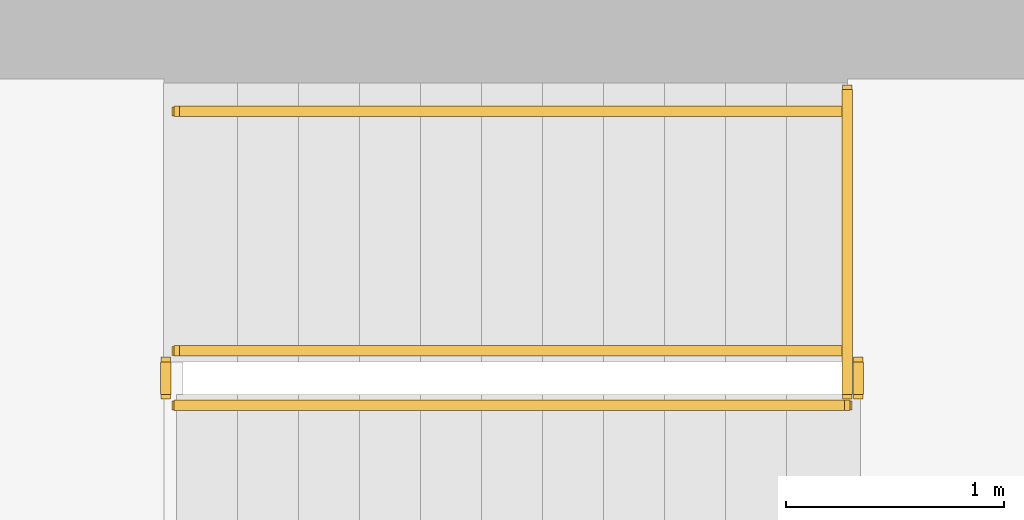
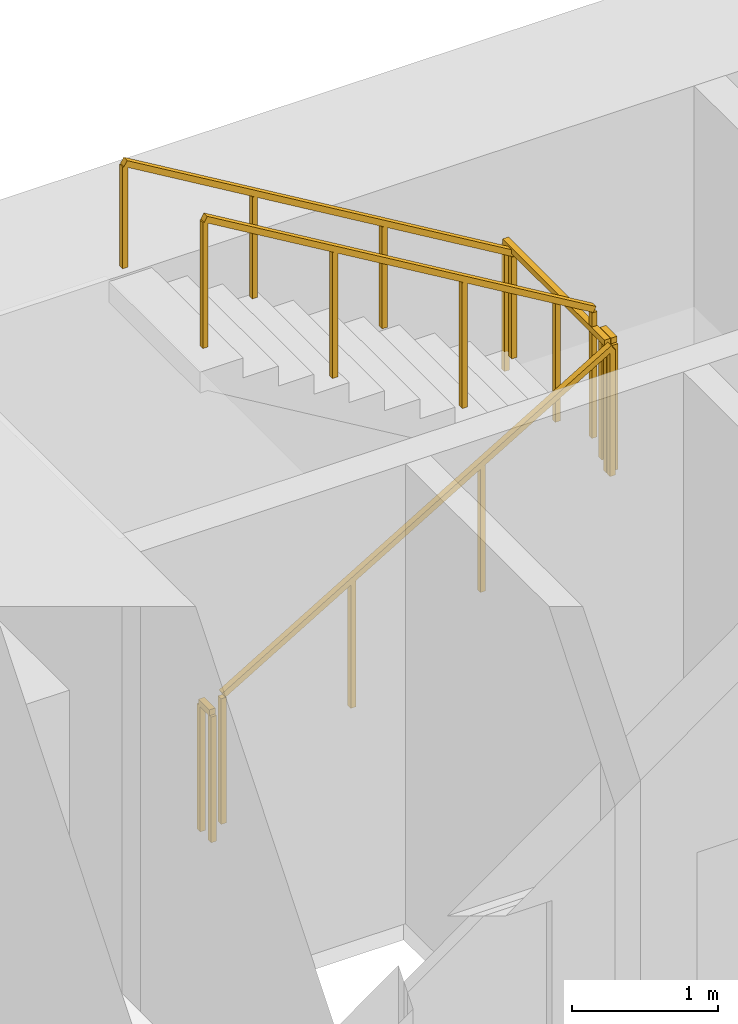
# One storey, part 14 of 15: 6 railings.
"""IFC4 building model written with IfcOpenShell, lengths in metres."""

import ifcopenshell
import ifcopenshell.guid

model = None  # the IFC model being written
_history = None  # IfcOwnerHistory: only IFC2X3 demands one
_inside = {}  # id of a spatial element -> (the spatial element, [elements in it])
_under = {}  # id of a project, library or spatial element -> (it, [spatial elements below it])
_declared = {}  # id of a project -> (the project, [libraries it declares])
_typed = {}  # id of a type object -> (the type object, [elements of that type])
_made_of = {}  # id of a material, layer set ... -> (it, [elements and type objects made of it])


def new_model(schema):
    """Start an empty IFC model of exactly this schema.

    Asked for "IFC4X3", IfcOpenShell would pick the latest addendum, in which some entities
    have other attributes; the version numbers below select the first issue.
    IFC2X3 requires an IfcOwnerHistory on every rooted entity: one is made here for all.
    """
    global model, _history
    if schema == "IFC4X3":
        model = ifcopenshell.file(schema_version=(4, 3, 0, 0))
    else:
        model = ifcopenshell.file(schema=schema)
    _inside.clear()
    _under.clear()
    _declared.clear()
    _typed.clear()
    _made_of.clear()
    _history = None
    if model.schema == "IFC2X3":
        org = make("IfcOrganization", Name="unknown")
        user = make(
            "IfcPersonAndOrganization",
            ThePerson=make("IfcPerson", FamilyName="unknown"),
            TheOrganization=org,
        )
        app = make(
            "IfcApplication",
            ApplicationDeveloper=org,
            Version="unknown",
            ApplicationFullName="unknown",
            ApplicationIdentifier="unknown",
        )
        _history = make(
            "IfcOwnerHistory",
            OwningUser=user,
            OwningApplication=app,
            ChangeAction="ADDED",
            CreationDate=0,
        )
    return model


def make(cls, **values):
    """One entity of the class cls with the attributes given. An attribute that is None is left unset."""
    return model.create_entity(
        cls, **{name: value for name, value in values.items() if value is not None}
    )


def rooted(cls, **values):
    """An entity with a GlobalId (a new one), such as an element, a storey or a relation."""
    return make(cls, GlobalId=ifcopenshell.guid.new(), OwnerHistory=_history, **values)


def si_unit(unit_type, name, prefix=None):
    """IfcSIUnit, for example si_unit("LENGTHUNIT", "METRE", prefix="MILLI")."""
    return make("IfcSIUnit", UnitType=unit_type, Prefix=prefix, Name=name)


def assignment(units):
    """IfcUnitAssignment: the units of a project."""
    return None if units is None else make("IfcUnitAssignment", Units=units)


def point(xyz):
    """IfcCartesianPoint."""
    return None if xyz is None else make("IfcCartesianPoint", Coordinates=xyz)


def direction(xyz):
    """IfcDirection."""
    return None if xyz is None else make("IfcDirection", DirectionRatios=xyz)


def frame(location, z_axis=None, x_axis=None):
    """IfcAxis2Placement3D, a coordinate frame: its origin and axes. An axis left out is left unset."""
    return make(
        "IfcAxis2Placement3D",
        Location=point(location),
        Axis=direction(z_axis),
        RefDirection=direction(x_axis),
    )


def frame_2d(location, x_axis=None):
    """IfcAxis2Placement2D, a coordinate frame in the plane: its origin and x axis."""
    return make(
        "IfcAxis2Placement2D", Location=point(location), RefDirection=direction(x_axis)
    )


def origin():
    """The frame at (0, 0, 0) with its axes left unset."""
    return frame((0.0, 0.0, 0.0))


def origin_2d():
    """The frame at (0, 0) in the plane with its x axis left unset."""
    return frame_2d((0.0, 0.0))


def place(relative_to, where):
    """IfcLocalPlacement: puts the frame where relative to a parent placement (None: the world)."""
    return make(
        "IfcLocalPlacement", PlacementRelTo=relative_to, RelativePlacement=where
    )


def context(
    kind, dimensions, precision=None, world=None, true_north=None, identifier=None
):
    """IfcGeometricRepresentationContext, for example the 3D "Model" context."""
    return make(
        "IfcGeometricRepresentationContext",
        ContextIdentifier=identifier,
        ContextType=kind,
        CoordinateSpaceDimension=dimensions,
        Precision=precision,
        WorldCoordinateSystem=world,
        TrueNorth=true_north,
    )


def subcontext(parent, identifier, kind, view, scale=None):
    """IfcGeometricRepresentationSubContext, for example "Body" below "Model"."""
    return make(
        "IfcGeometricRepresentationSubContext",
        ContextIdentifier=identifier,
        ContextType=kind,
        ParentContext=parent,
        TargetScale=scale,
        TargetView=view,
    )


def project(units=None, contexts=None):
    """IfcProject with its units and contexts."""
    return rooted(
        "IfcProject",
        Name="project",
        RepresentationContexts=contexts,
        UnitsInContext=assignment(units),
    )


def spatial(cls, under=None, at=None, **own):
    """A site, building, storey or space (cls), placed at a placement, below another one or the project."""
    s = rooted(cls, ObjectPlacement=at, **own)
    if under is not None:
        _under.setdefault(under.id(), (under, []))[1].append(s)
    return s


def profile(cls, at=None, kind="AREA", **sizes):
    """A parametric profile (cls). Its sizes go by their IFC names, for example OverallWidth=200.0."""
    return make(cls, ProfileType=kind, Position=at, **sizes)


def rectangle(**sizes):
    """IfcRectangleProfileDef."""
    return profile("IfcRectangleProfileDef", **sizes)


def extrude(swept, where, along, depth):
    """IfcExtrudedAreaSolid: the profile swept, set in the frame where, extruded along a direction by depth."""
    return make(
        "IfcExtrudedAreaSolid",
        SweptArea=swept,
        Position=where,
        ExtrudedDirection=direction(along),
        Depth=depth,
    )


def shape(context_of_items, identifier, shape_type, items):
    """IfcShapeRepresentation: the items that make up one representation, for example the "Body"."""
    return make(
        "IfcShapeRepresentation",
        ContextOfItems=context_of_items,
        RepresentationIdentifier=identifier,
        RepresentationType=shape_type,
        Items=items,
    )


def material(Name=None, Category=None):
    """IfcMaterial."""
    return make("IfcMaterial", Name=Name, Category=Category)


def made_of(thing, what):
    """Note that an element or type object is made of a material, layer set ...; save() writes the relation."""
    if what is not None:
        _made_of.setdefault(what.id(), (what, []))[1].append(thing)
    return thing


def type_object(cls, material=None, **own):
    """A type object (cls), such as IfcWallType, which elements share."""
    return made_of(rooted(cls, **own), material)


def element(
    cls,
    number,
    at=None,
    inside=None,
    cuts=None,
    type_object=None,
    material=None,
    context=None,
    identifier="Body",
    shape_type=None,
    held_by="IfcProductDefinitionShape",
    body=None,
    shapes=None,
    **own,
):
    """One element of the class cls, such as IfcWall. Its Tag is "e" and its number.

    at: its placement. inside: the storey or other place that contains it. cuts: it is an
    opening in that element (IfcRelVoidsElement). A single representation is given by context,
    identifier, shape_type and body (its items); several are given by shapes. held_by: the class
    of the entity that holds the representations. save() writes the other relations.
    """
    e = rooted(cls, Tag="e%d" % number, ObjectPlacement=at, **own)
    if body is not None:
        shapes = [shape(context, identifier, shape_type, body)]
    if shapes is not None:
        e.Representation = make(held_by, Representations=shapes)
    if inside is not None:
        _inside.setdefault(inside.id(), (inside, []))[1].append(e)
    if cuts is not None:
        rooted(
            "IfcRelVoidsElement", RelatingBuildingElement=cuts, RelatedOpeningElement=e
        )
    if type_object is not None:
        _typed.setdefault(type_object.id(), (type_object, []))[1].append(e)
    return made_of(e, material)


def aggregate(whole, parts):
    """IfcRelAggregates: a whole, such as a stair, and the parts it consists of."""
    return rooted("IfcRelAggregates", RelatingObject=whole, RelatedObjects=parts)


def save(model, path):
    """Write the relations noted so far, then the file.

    IfcRelAggregates (storeys below a building ...), IfcRelContainedInSpatialStructure (elements
    in a storey), IfcRelDefinesByType, IfcRelAssociatesMaterial and IfcRelDeclares: one each for
    every whole, place, type object, material and project.
    """
    for whole, parts in _under.values():
        aggregate(whole, parts)
    for where, things in _inside.values():
        rooted(
            "IfcRelContainedInSpatialStructure",
            RelatedElements=things,
            RelatingStructure=where,
        )
    for kind, things in _typed.values():
        rooted("IfcRelDefinesByType", RelatedObjects=things, RelatingType=kind)
    for what, things in _made_of.values():
        rooted("IfcRelAssociatesMaterial", RelatedObjects=things, RelatingMaterial=what)
    for by, libraries in _declared.values():
        rooted("IfcRelDeclares", RelatingContext=by, RelatedDefinitions=libraries)
    model.write(path)


model = new_model("IFC4")

# Units and contexts
model_context = context("Model", 3, precision=1e-05, world=origin(), true_north=direction((0.0, 1.0)))
body_context = subcontext(model_context, "Body", "Model", "MODEL_VIEW")
ifc_project = project(units=[si_unit("LENGTHUNIT", "METRE"), si_unit("AREAUNIT", "SQUARE_METRE"), si_unit("VOLUMEUNIT", "CUBIC_METRE"), si_unit("PLANEANGLEUNIT", "RADIAN"), si_unit("MASSUNIT", "GRAM", prefix="KILO")], contexts=[model_context])

# Site, building, storey
site_placement = place(None, origin())
site = spatial("IfcSite", under=ifc_project, at=site_placement, CompositionType="ELEMENT")
building_placement = place(site_placement, origin())
building = spatial("IfcBuilding", under=site, at=building_placement, Name="Sennacour Bend Tower", CompositionType="ELEMENT")
storey_placement = place(building_placement, frame((0.0, 0.0, 33.0)))
storey = spatial("IfcBuildingStorey", under=building, at=storey_placement, Name="L06", CompositionType="ELEMENT", Elevation=33.0)

# Railings
ifc_material = material(Name="Stainless steel", Category="steel")
railing_type_1 = type_object("IfcRailingType", Name="RL-GUARD-1100", PredefinedType="GUARDRAIL", material=ifc_material)
railing_1_placement = place(storey_placement, frame((56.699951171875, 19.85009765625, 0.166748046875)))
element("IfcRailing", 1, at=railing_1_placement, inside=storey, type_object=railing_type_1, Name="L06 SA2 stair guard 1", PredefinedType="GUARDRAIL", context=body_context, shape_type="SweptSolid", body=[
    extrude(rectangle(XDim=0.048095703125, YDim=0.048095703125, at=origin_2d()), frame((0.0, 0.0, 1.076171875), z_axis=(0.859308565015, 0.0, 0.511457515432), x_axis=(0.0, 1.0, 0.0)), (0.0, 0.0, 1.0), 3.58447265625),
    extrude(rectangle(XDim=0.0419921875, YDim=0.0419921875, at=origin_2d()), origin(), (0.0, 0.0, 1.0), 1.052001953125),
    extrude(rectangle(XDim=0.0419921875, YDim=0.0419921875, at=origin_2d()), frame((1.026611328125, 0.0, 0.611083984375)), (0.0, 0.0, 1.0), 1.052001953125),
    extrude(rectangle(XDim=0.0419921875, YDim=0.0419921875, at=origin_2d()), frame((2.053466796875, 0.0, 1.22216796875)), (0.0, 0.0, 1.0), 1.052001953125),
    extrude(rectangle(XDim=0.0419921875, YDim=0.0419921875, at=origin_2d()), frame((3.080078125, 0.0, 1.833251953125)), (0.0, 0.0, 1.0), 1.052001953125),
])
railing_2_placement = place(storey_placement, frame((59.830078125, 19.89990234375, 2.0)))
element("IfcRailing", 2, at=railing_2_placement, inside=storey, type_object=railing_type_1, Name="L06 SA2 stair guard 2", PredefinedType="GUARDRAIL", context=body_context, shape_type="SweptSolid", body=[
    extrude(rectangle(XDim=0.048095703125, YDim=0.048095703125, at=origin_2d()), frame((0.0, 0.0, 1.076171875), z_axis=(0.0, 1.0, 0.0), x_axis=(-1.0, 0.0, 0.0)), (0.0, 0.0, 1.0), 0.150146484375),
    extrude(rectangle(XDim=0.0419921875, YDim=0.0419921875, at=origin_2d()), origin(), (0.0, 0.0, 1.0), 1.052001953125),
    extrude(rectangle(XDim=0.0419921875, YDim=0.0419921875, at=origin_2d()), frame((0.0, 0.150146484375, 0.0)), (0.0, 0.0, 1.0), 1.052001953125),
])
railing_3_placement = place(storey_placement, frame((59.780029296875, 20.10009765625, 2.166748046875)))
element("IfcRailing", 3, at=railing_3_placement, inside=storey, type_object=railing_type_1, Name="L06 SA2 stair guard 4", PredefinedType="GUARDRAIL", context=body_context, shape_type="SweptSolid", body=[
    extrude(rectangle(XDim=0.048095703125, YDim=0.048095703125, at=origin_2d()), frame((0.0, 0.0, 1.076171875), z_axis=(-0.859308565015, 0.0, 0.511457515432), x_axis=(0.0, -1.0, 0.0)), (0.0, 0.0, 1.0), 3.58447265625),
    extrude(rectangle(XDim=0.0419921875, YDim=0.0419921875, at=origin_2d()), origin(), (0.0, 0.0, 1.0), 1.052001953125),
    extrude(rectangle(XDim=0.0419921875, YDim=0.0419921875, at=origin_2d()), frame((-1.026611328125, 0.0, 0.611083984375)), (0.0, 0.0, 1.0), 1.052001953125),
    extrude(rectangle(XDim=0.0419921875, YDim=0.0419921875, at=origin_2d()), frame((-2.053466796875, 0.0, 1.22216796875)), (0.0, 0.0, 1.0), 1.052001953125),
    extrude(rectangle(XDim=0.0419921875, YDim=0.0419921875, at=origin_2d()), frame((-3.080078125, 0.0, 1.833251953125)), (0.0, 0.0, 1.0), 1.052001953125),
])
railing_4_placement = place(storey_placement, frame((56.64990234375, 19.89990234375, 0.0)))
element("IfcRailing", 4, at=railing_4_placement, inside=storey, type_object=railing_type_1, Name="L06 SA2 stair guard 5", PredefinedType="GUARDRAIL", context=body_context, shape_type="SweptSolid", body=[
    extrude(rectangle(XDim=0.048095703125, YDim=0.048095703125, at=origin_2d()), frame((0.0, 0.0, 1.076171875), z_axis=(0.0, 1.0, 0.0), x_axis=(-1.0, 0.0, 0.0)), (0.0, 0.0, 1.0), 0.150146484375),
    extrude(rectangle(XDim=0.0419921875, YDim=0.0419921875, at=origin_2d()), origin(), (0.0, 0.0, 1.0), 1.052001953125),
    extrude(rectangle(XDim=0.0419921875, YDim=0.0419921875, at=origin_2d()), frame((0.0, 0.150146484375, 0.0)), (0.0, 0.0, 1.0), 1.052001953125),
])
railing_5_placement = place(storey_placement, frame((59.780029296875, 19.89990234375, 2.0)))
element("IfcRailing", 5, at=railing_5_placement, inside=storey, type_object=railing_type_1, Name="L06 SA2 landing edge guard 17", PredefinedType="GUARDRAIL", context=body_context, shape_type="SweptSolid", body=[
    extrude(rectangle(XDim=0.048095703125, YDim=0.048095703125, at=origin_2d()), frame((0.0, 0.0, 1.076171875), z_axis=(0.0, 1.0, 0.0), x_axis=(-1.0, 0.0, 0.0)), (0.0, 0.0, 1.0), 1.400146484375),
    extrude(rectangle(XDim=0.0419921875, YDim=0.0419921875, at=origin_2d()), origin(), (0.0, 0.0, 1.0), 1.052001953125),
    extrude(rectangle(XDim=0.0419921875, YDim=0.0419921875, at=origin_2d()), frame((0.0, 0.7001953125, 0.0)), (0.0, 0.0, 1.0), 1.052001953125),
    extrude(rectangle(XDim=0.0419921875, YDim=0.0419921875, at=origin_2d()), frame((0.0, 1.400146484375, 0.0)), (0.0, 0.0, 1.0), 1.052001953125),
])
railing_type_2 = type_object("IfcRailingType", Name="RL-HANDRAIL-900", PredefinedType="HANDRAIL", material=ifc_material)
railing_6_placement = place(storey_placement, frame((59.780029296875, 21.199951171875, 2.166748046875)))
element("IfcRailing", 6, at=railing_6_placement, inside=storey, type_object=railing_type_2, Name="L06 SA2 stair handrail 2", PredefinedType="HANDRAIL", context=body_context, shape_type="SweptSolid", body=[
    extrude(rectangle(XDim=0.048095703125, YDim=0.048095703125, at=origin_2d()), frame((0.0, 0.0, 0.8759765625), z_axis=(-0.859308565015, 0.0, 0.511457515432), x_axis=(0.0, -1.0, 0.0)), (0.0, 0.0, 1.0), 3.58447265625),
    extrude(rectangle(XDim=0.0419921875, YDim=0.0419921875, at=origin_2d()), origin(), (0.0, 0.0, 1.0), 0.851806640625),
    extrude(rectangle(XDim=0.0419921875, YDim=0.0419921875, at=origin_2d()), frame((-1.026611328125, 0.0, 0.611083984375)), (0.0, 0.0, 1.0), 0.851806640625),
    extrude(rectangle(XDim=0.0419921875, YDim=0.0419921875, at=origin_2d()), frame((-2.053466796875, 0.0, 1.22216796875)), (0.0, 0.0, 1.0), 0.851806640625),
    extrude(rectangle(XDim=0.0419921875, YDim=0.0419921875, at=origin_2d()), frame((-3.080078125, 0.0, 1.833251953125)), (0.0, 0.0, 1.0), 0.851806640625),
])

save(model, "model.ifc")
